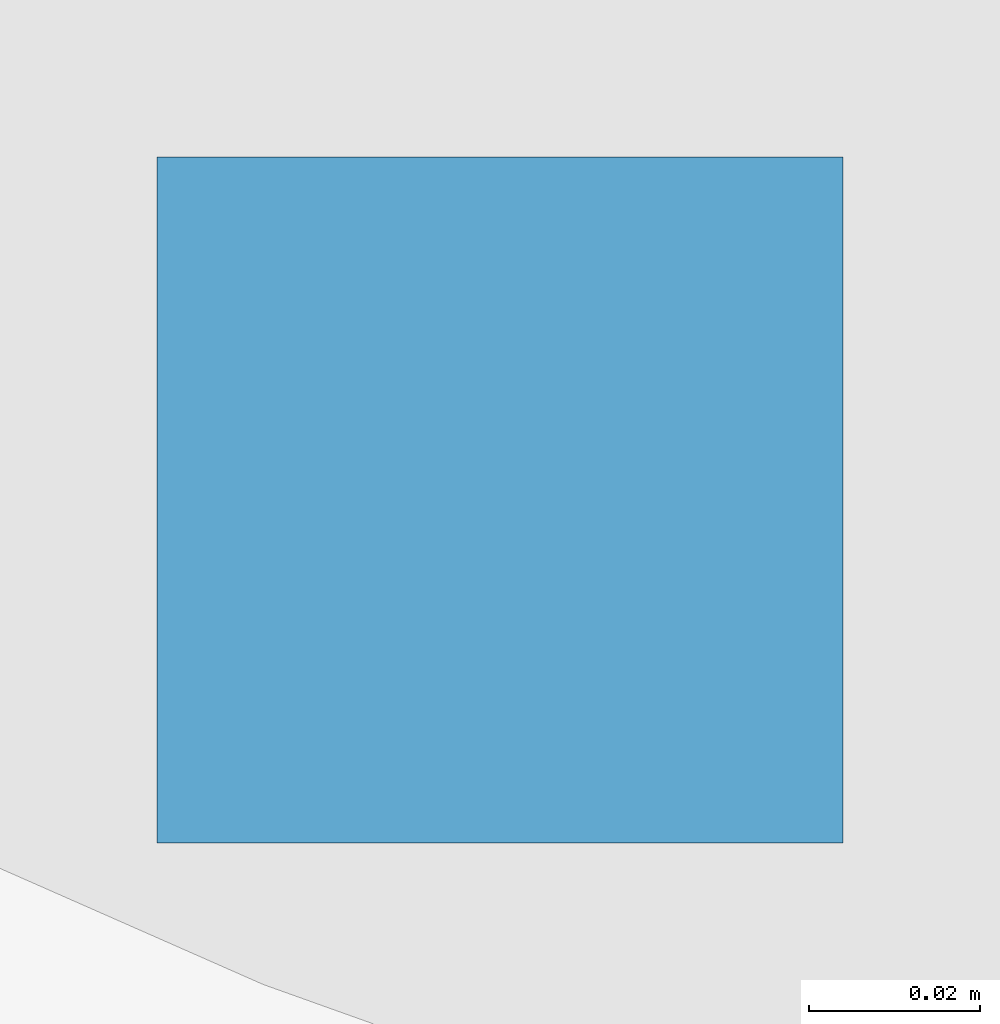
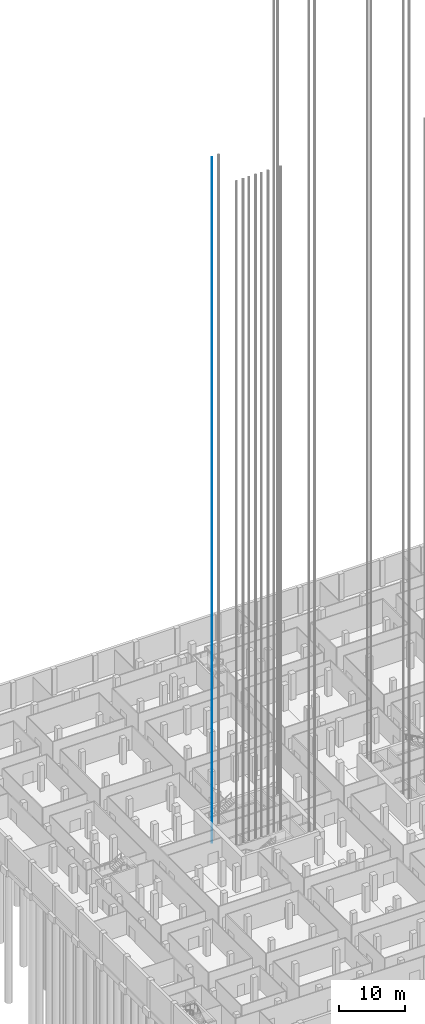
# One storey, part 27 of 54: 1 discrete accessory.
"""IFC4 building model written with IfcOpenShell, lengths in metres."""

from ifc_helpers import new_model, si_unit, direction, frame, origin, origin_2d, place, context, subcontext, project, spatial, rectangle, extrude, material, element, save


model = new_model("IFC4")

# Units and contexts
model_context = context("Model", 3, precision=1e-05, world=origin(), true_north=direction((0.0, 1.0)))
body_context = subcontext(model_context, "Body", "Model", "MODEL_VIEW")
ifc_project = project(units=[si_unit("LENGTHUNIT", "METRE"), si_unit("AREAUNIT", "SQUARE_METRE"), si_unit("VOLUMEUNIT", "CUBIC_METRE"), si_unit("PLANEANGLEUNIT", "RADIAN"), si_unit("MASSUNIT", "GRAM", prefix="KILO")], contexts=[model_context])

# Site, building, storey
site_placement = place(None, origin())
site = spatial("IfcSite", under=ifc_project, at=site_placement, CompositionType="ELEMENT")
building_placement = place(site_placement, origin())
building = spatial("IfcBuilding", under=site, at=building_placement, Name="Fustian Cross Tower", CompositionType="ELEMENT")
storey_placement = place(building_placement, frame((0.0, 0.0, -4.800048828125)))
storey = spatial("IfcBuildingStorey", under=building, at=storey_placement, Name="B1", CompositionType="ELEMENT", Elevation=-4.800048828125)

# Discrete accessory
ifc_material = material(Name="Steel S355", Category="steel")
discrete_accessory_placement = place(storey_placement, frame((-20.47509765625, 3.7099609375, 0.0), z_axis=(0.0, 0.0, 1.0), x_axis=(1.0, 0.0, 0.0)))
element("IfcDiscreteAccessory", 1, at=discrete_accessory_placement, inside=storey, material=ifc_material, Name="Lift guide rail SH2W 1", PredefinedType="NOTDEFINED", context=body_context, shape_type="SweptSolid", body=[
    extrude(rectangle(XDim=0.080078125, YDim=0.080078125, at=origin_2d()), origin(), (0.0, 0.0, 1.0), 127.14990234375),
])

save(model, "model.ifc")
